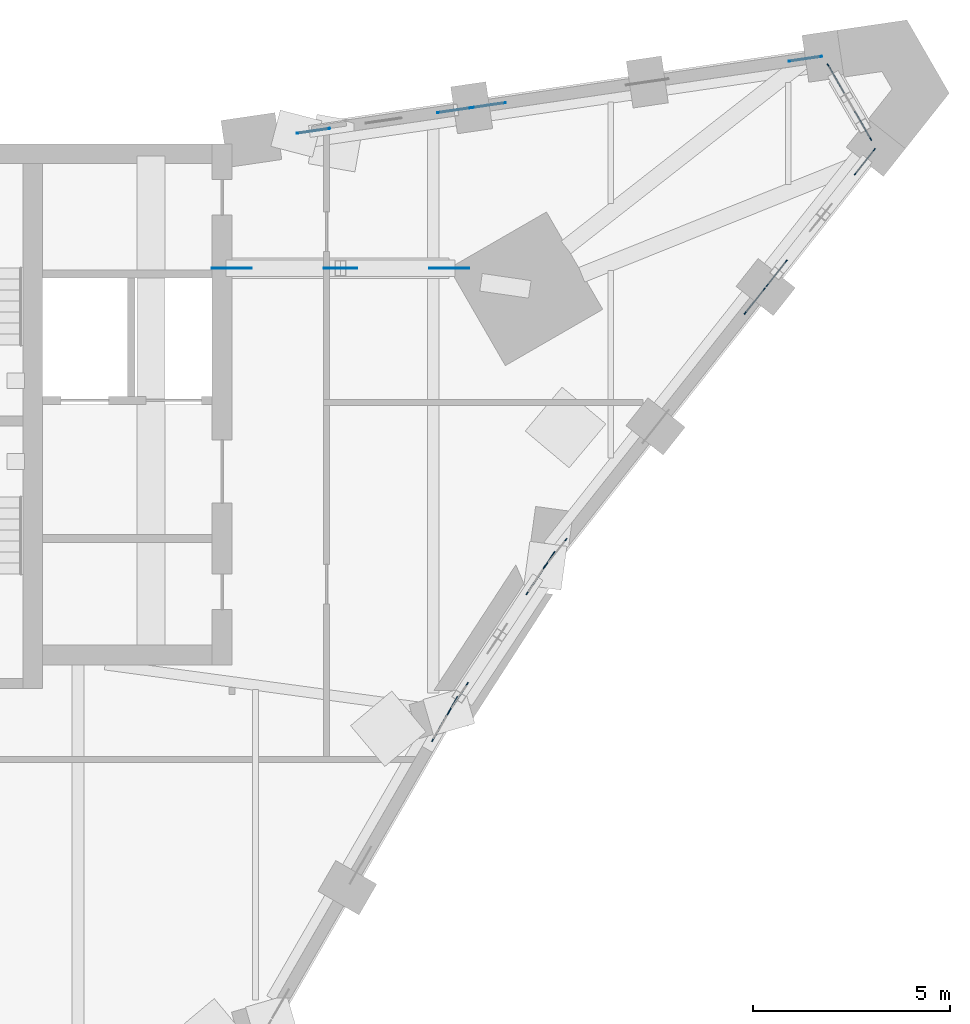
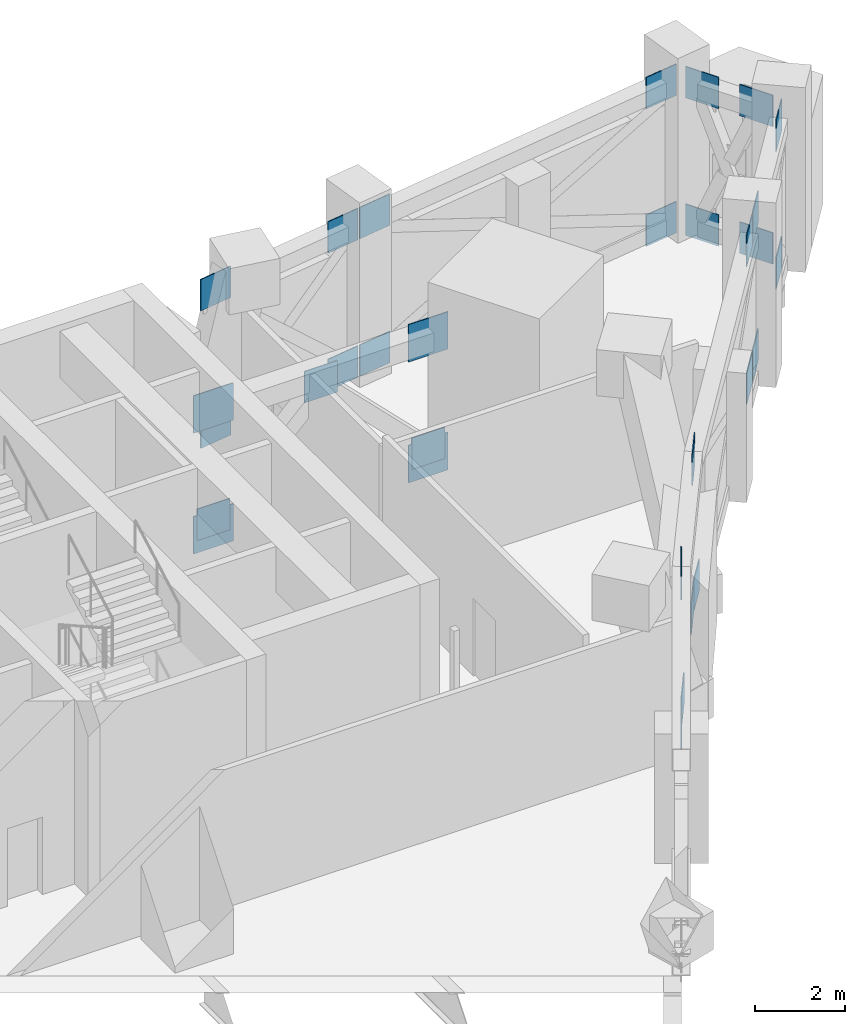
# One storey, part 14 of 20: 31 discrete accessories.
"""IFC4 building model written with IfcOpenShell, lengths in metres."""

from ifc_helpers import new_model, si_unit, direction, frame, origin, origin_2d, place, context, subcontext, project, spatial, rectangle, extrude, material, type_object, element, save


model = new_model("IFC4")

# Units and contexts
model_context = context("Model", 3, precision=1e-05, world=origin(), true_north=direction((0.0, 1.0)))
body_context = subcontext(model_context, "Body", "Model", "MODEL_VIEW")
ifc_project = project(units=[si_unit("LENGTHUNIT", "METRE"), si_unit("AREAUNIT", "SQUARE_METRE"), si_unit("VOLUMEUNIT", "CUBIC_METRE"), si_unit("PLANEANGLEUNIT", "RADIAN"), si_unit("MASSUNIT", "GRAM", prefix="KILO")], contexts=[model_context])

# Site, building, storey
site_placement = place(None, origin())
site = spatial("IfcSite", under=ifc_project, at=site_placement, CompositionType="ELEMENT")
building_placement = place(site_placement, origin())
building = spatial("IfcBuilding", under=site, at=building_placement, Name="Calabash Gate Tower", CompositionType="ELEMENT")
storey_placement = place(building_placement, frame((0.0, 0.0, 139.60009765625)))
storey = spatial("IfcBuildingStorey", under=building, at=storey_placement, Name="L32", CompositionType="ELEMENT", Elevation=139.60009765625)

# Discrete accessories
ifc_material = material(Name="Steel ASTM A572 Gr50", Category="steel")
discrete_accessory_type = type_object("IfcDiscreteAccessoryType", Name="Connection plate 25", PredefinedType="BRACKET", material=ifc_material)
for number, where, z_axis, x_axis, name in (
    (1, (22.681640625, 4.28076171875, -0.22216796875), (0.0, 0.0, 1.0), (0.49999993954, 0.866025438691, 0.0), "Connection plate Belt chord L32 51 end"),
    (2, (22.908935546875, 4.677001953125, 3.501953125), (0.0, 0.0, 1.0), (0.499883201889, 0.866092826704, 0.0), "Connection plate Belt chord L32 52 end"),
    (3, (23.155029296875, 5.046630859375, -0.22216796875), (0.0, 0.0, 1.0), (0.551059856866, 0.834465717781, 0.0), "Connection plate Belt chord L32 56 start"),
    (4, (25.097412109375, 7.988037109375, -0.22216796875), (0.0, 0.0, 1.0), (0.551059856866, 0.834465717781, 0.0), "Connection plate Belt chord L32 56 end"),
    (5, (25.34912109375, 8.368896484375, 3.501953125), (0.0, 0.0, 1.0), (0.551070372156, 0.834458773656, 0.0), "Connection plate Belt chord L32 57 end"),
    (6, (25.62548828125, 8.718017578125, -0.22216796875), (0.0, 0.0, 1.0), (0.620301226961, 0.784363683396, 0.0), "Connection plate Belt chord L32 61 start"),
    (7, (30.64990234375, 15.0712890625, -0.22216796875), (0.0, 0.0, 1.0), (0.620301226961, 0.784363683396, 0.0), "Connection plate Belt chord L32 61 end"),
    (8, (30.64990234375, 15.0712890625, 3.50146484375), (0.0, 0.0, 1.0), (0.620313328607, 0.784354112855, 0.0), "Connection plate Belt chord L32 62 end"),
    (9, (31.208251953125, 15.77734375, -0.22216796875), (0.0, 0.0, 1.0), (0.620301322789, 0.784363607612, 0.0), "Connection plate Belt chord L32 66 start"),
    (10, (33.441162109375, 18.600830078125, -0.22216796875), (0.0, 0.0, 1.0), (0.620301322789, 0.784363607612, 0.0), "Connection plate Belt chord L32 66 end"),
    (11, (31.208251953125, 15.77734375, 3.50146484375), (0.0, 0.0, 1.0), (0.620301322789, 0.784363607612, 0.0), "Connection plate Belt chord L32 67 start"),
    (12, (33.441162109375, 18.600830078125, 3.50146484375), (0.0, 0.0, 1.0), (0.620301322789, 0.784363607612, 0.0), "Connection plate Belt chord L32 67 end"),
    (13, (33.397705078125, 19.512939453125, -0.22216796875), (0.0, 0.0, 1.0), (-0.500000136035, 0.866025325245, 0.0), "Connection plate Belt chord L32 71 start"),
    (14, (32.70263671875, 20.716796875, -0.22216796875), (0.0, 0.0, 1.0), (-0.500000136035, 0.866025325245, 0.0), "Connection plate Belt chord L32 71 end"),
    (15, (33.397705078125, 19.512939453125, 3.50146484375), (0.0, 0.0, 1.0), (-0.500000136035, 0.866025325245, 0.0), "Connection plate Belt chord L32 72 start"),
    (16, (32.70263671875, 20.716796875, 3.50146484375), (0.0, 0.0, 1.0), (-0.500000136035, 0.866025325245, 0.0), "Connection plate Belt chord L32 72 end"),
    (17, (31.9345703125, 21.210693359375, -0.22216796875), (0.0, 0.0, 1.0), (-0.98942952201, -0.145014554354, 0.0), "Connection plate Belt chord L32 76 start"),
    (18, (23.920166015625, 20.0361328125, -0.22216796875), (0.0, 0.0, 1.0), (-0.98942952201, -0.145014554354, 0.0), "Connection plate Belt chord L32 76 end"),
    (19, (31.9345703125, 21.210693359375, 3.50146484375), (0.0, 0.0, 1.0), (-0.98942952201, -0.145014554354, 0.0), "Connection plate Belt chord L32 77 start"),
    (20, (23.920166015625, 20.0361328125, 3.50146484375), (0.0, 0.0, 1.0), (-0.98942952201, -0.145014554354, 0.0), "Connection plate Belt chord L32 77 end"),
    (21, (23.02978515625, 19.905517578125, -0.22216796875), (0.0, 0.0, 1.0), (-0.989429537196, -0.145014450742, 0.0), "Connection plate Belt chord L32 81 start"),
    (22, (19.4677734375, 19.383544921875, -0.22216796875), (0.0, 0.0, 1.0), (-0.989429537196, -0.145014450742, 0.0), "Connection plate Belt chord L32 81 end"),
    (23, (23.02978515625, 19.905517578125, 3.50146484375), (0.0, 0.0, 1.0), (-0.989429537196, -0.145014450742, 0.0), "Connection plate Belt chord L32 82 start"),
    (24, (19.4677734375, 19.383544921875, 3.50146484375), (0.0, 0.0, 1.0), (-0.989429537196, -0.145014450742, 0.0), "Connection plate Belt chord L32 82 end"),
):
    element("IfcDiscreteAccessory", number, at=place(storey_placement, frame(where, z_axis=z_axis, x_axis=x_axis)), inside=storey, type_object=discrete_accessory_type, Name=name, PredefinedType="BRACKET", context=body_context, shape_type="SweptSolid", body=[
        extrude(rectangle(XDim=0.850341796875, YDim=0.02490234375, at=origin_2d()), origin(), (0.0, 0.0, 1.0), 0.850341796875),
    ])
for number, where, z_axis, x_axis, name in (
    (25, (22.905029296875, 15.903076171875, -0.25244140625), (0.0, 0.0, 1.0), (-1.0, 0.0, 0.0), "Connection plate Outrigger chord L32 NE start"),
    (26, (17.39990234375, 15.903076171875, -0.25244140625), (0.0, 0.0, 1.0), (-1.0, 0.0, 0.0), "Connection plate Outrigger chord L32 NE end"),
    (27, (22.905029296875, 15.903076171875, 3.01953125), (0.0, 0.0, 1.0), (-1.0, 0.0, 0.0), "Connection plate Outrigger chord L32 NE start"),
    (28, (17.39990234375, 15.903076171875, 3.01953125), (0.0, 0.0, 1.0), (-1.0, 0.0, 0.0), "Connection plate Outrigger chord L32 NE end"),
):
    element("IfcDiscreteAccessory", number, at=place(storey_placement, frame(where, z_axis=z_axis, x_axis=x_axis)), inside=storey, type_object=discrete_accessory_type, Name=name, PredefinedType="BRACKET", context=body_context, shape_type="SweptSolid", body=[
        extrude(rectangle(XDim=1.0126953125, YDim=0.02490234375, at=origin_2d()), origin(), (0.0, 0.0, 1.0), 1.0126953125),
    ])
for number, where, z_axis, x_axis, name in (
    (29, (22.905029296875, 15.903076171875, 0.08251953125), (0.0, 0.0, 1.0), (-1.0, 0.0, 0.0), "Connection plate Outrigger diagonal L32 NE start"),
    (30, (20.152587890625, 15.903076171875, 2.8466796875), (0.0, 0.0, 1.0), (-1.0, 0.0, 0.0), "Connection plate Outrigger diagonal L32 NE end"),
    (31, (17.39990234375, 15.903076171875, 0.08251953125), (0.0, 0.0, 1.0), (-1.0, 0.0, 0.0), "Connection plate Outrigger diagonal L32 NE end"),
):
    element("IfcDiscreteAccessory", number, at=place(storey_placement, frame(where, z_axis=z_axis, x_axis=x_axis)), inside=storey, type_object=discrete_accessory_type, Name=name, PredefinedType="BRACKET", context=body_context, shape_type="SweptSolid", body=[
        extrude(rectangle(XDim=0.850341796875, YDim=0.02490234375, at=origin_2d()), origin(), (0.0, 0.0, 1.0), 0.850341796875),
    ])

save(model, "model.ifc")
